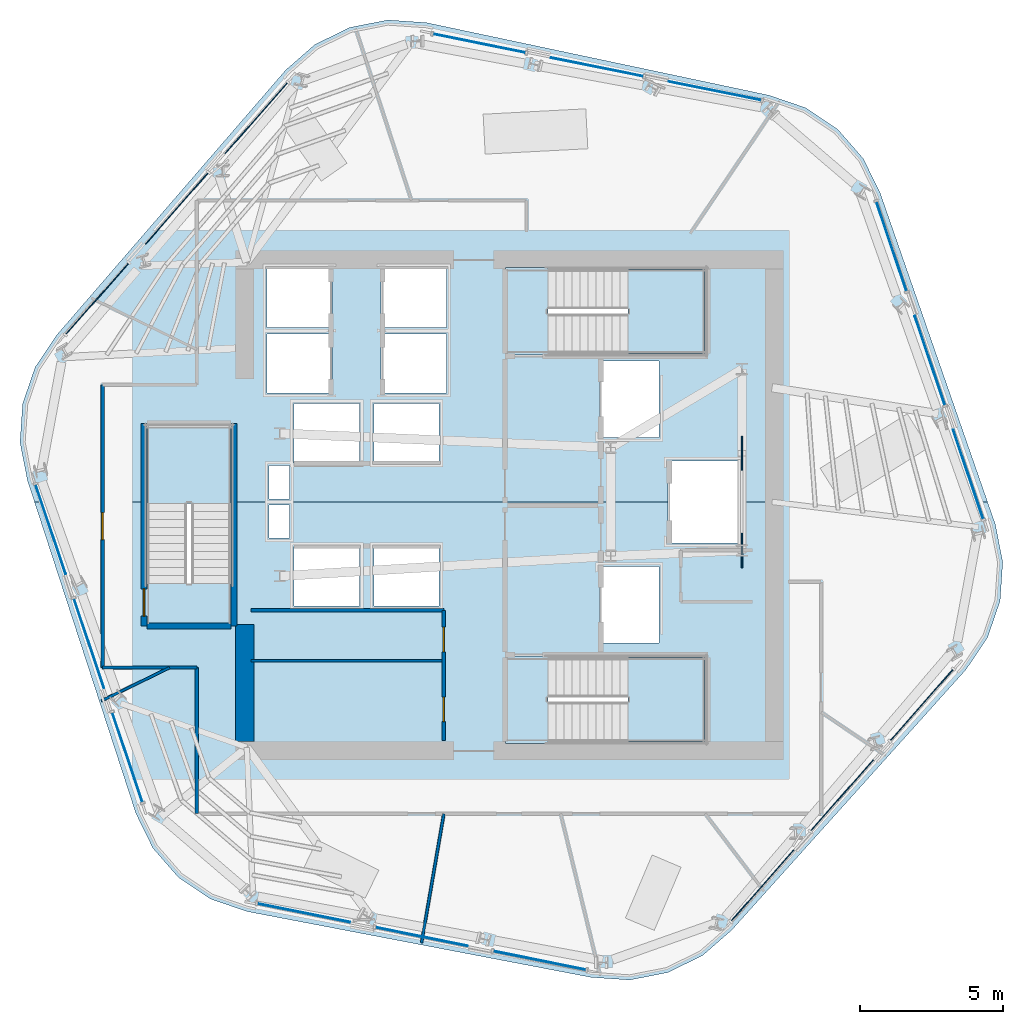
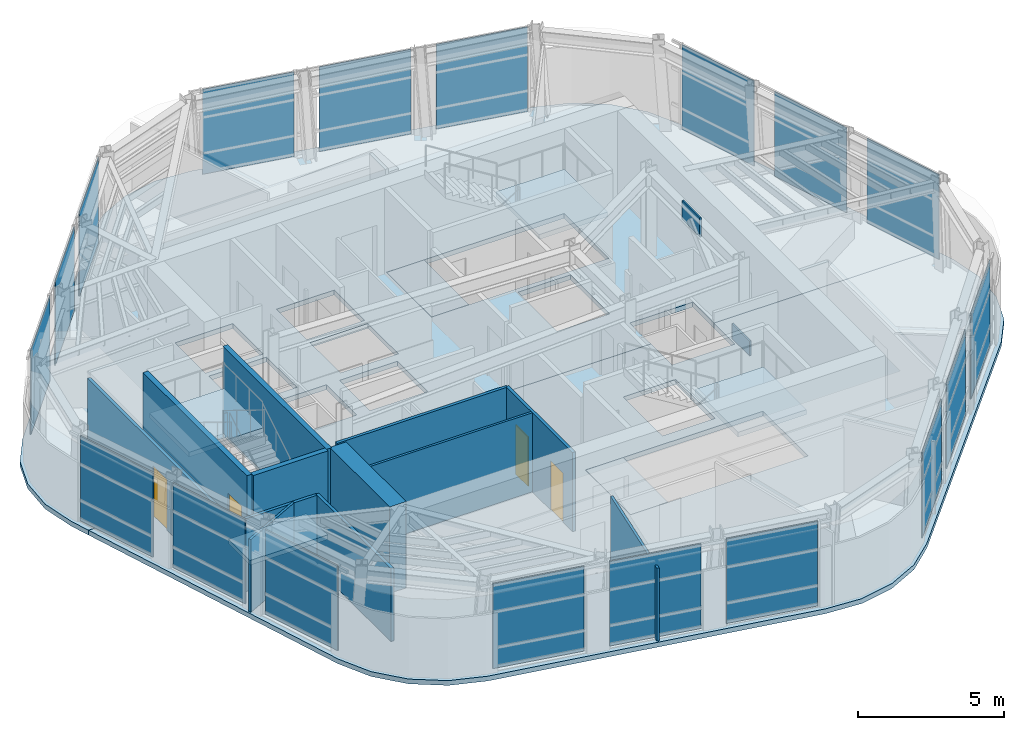
# One storey, part 5 of 12: 20 plates, 12 walls, 8 slabs, 4 doors, 4 openings, 9 elements without a shape of their own.
"""IFC4 building model written with IfcOpenShell, lengths in metres."""

from ifc_helpers import new_model, si_unit, direction, frame, frame_2d, origin, origin_2d, place, context, subcontext, project, spatial, polyline, rectangle, outline, extrude, material, layer, layer_set, type_object, element, fill, aggregate, save


model = new_model("IFC4")

# Units and contexts
model_context = context("Model", 3, precision=1e-05, world=origin(), true_north=direction((0.0, 1.0)))
body_context = subcontext(model_context, "Body", "Model", "MODEL_VIEW")
ifc_project = project(units=[si_unit("LENGTHUNIT", "METRE"), si_unit("AREAUNIT", "SQUARE_METRE"), si_unit("VOLUMEUNIT", "CUBIC_METRE"), si_unit("PLANEANGLEUNIT", "RADIAN"), si_unit("MASSUNIT", "GRAM", prefix="KILO")], contexts=[model_context])

# Site, building, storey
site_placement = place(None, origin())
site = spatial("IfcSite", under=ifc_project, at=site_placement, CompositionType="ELEMENT")
building_placement = place(site_placement, origin())
building = spatial("IfcBuilding", under=site, at=building_placement, Name="Valkerne Bourse Tower", CompositionType="ELEMENT")
storey_placement = place(building_placement, frame((0.0, 0.0, 232.199951171875)))
storey = spatial("IfcBuildingStorey", under=building, at=storey_placement, Name="L59", CompositionType="ELEMENT", Elevation=232.199951171875)

# Curtain wall, plates
ifc_material_1 = material(Name="Aluminium AA 6063-T6", Category="aluminium")
ifc_layer_1 = layer(ifc_material_1, 0.239990234375)
ifc_layer_set_1 = layer_set([ifc_layer_1], Name="Aluminium AA 6063-T6")
curtain_wall_type = type_object("IfcCurtainWallType", Name="CW-04", PredefinedType="NOTDEFINED", material=ifc_layer_set_1)
curtain_wall_1_placement = place(storey_placement, origin())
curtain_wall_1 = element("IfcCurtainWall", 1, at=curtain_wall_1_placement, inside=storey, type_object=curtain_wall_type, Name="L59 Hexagonal Stick Curtain Wall Face 1", PredefinedType="NOTDEFINED")
ifc_material_2 = material(Name="Glass IGU Low-E Double Glazed", Category="glass")
ifc_layer_2 = layer(ifc_material_2, 0.031982421875)
ifc_layer_set_2 = layer_set([ifc_layer_2], Name="Glass IGU Low-E Double Glazed")
plate_type_1 = type_object("IfcPlateType", Name="CW-PNL-IGU-32", PredefinedType="CURTAIN_PANEL", material=ifc_layer_set_2)
plate_1_placement = place(storey_placement, frame((54.000244140625, 41.399658203125, 0.030029296875), z_axis=(0.0, 0.0, 1.0), x_axis=(-0.980272659365, 0.197649976729, 0.0)))
plate_1 = element("IfcPlate", 2, at=plate_1_placement, type_object=plate_type_1, Name="CW-L59-F1 Curtain Panel 00", PredefinedType="CURTAIN_PANEL", context=body_context, shape_type="SweptSolid", body=[
    extrude(rectangle(XDim=3.2919921875, YDim=0.031982421875, at=origin_2d()), origin(), (0.0, 0.0, 1.0), 3.5400390625),
])
plate_2_placement = place(storey_placement, frame((49.871337890625, 42.232177734375, 0.030029296875), z_axis=(0.0, 0.0, 1.0), x_axis=(-0.980268059139, 0.197672790823, 0.0)))
plate_2 = element("IfcPlate", 3, at=plate_2_placement, type_object=plate_type_1, Name="CW-L59-F1 Curtain Panel 01", PredefinedType="CURTAIN_PANEL", context=body_context, shape_type="SweptSolid", body=[
    extrude(rectangle(XDim=3.2919921875, YDim=0.031982421875, at=origin_2d()), origin(), (0.0, 0.0, 1.0), 3.5400390625),
])
plate_3_placement = place(storey_placement, frame((45.742431640625, 43.064697265625, 0.030029296875), z_axis=(0.0, 0.0, 1.0), x_axis=(-0.980272659365, 0.197649976729, 0.0)))
plate_3 = element("IfcPlate", 4, at=plate_3_placement, type_object=plate_type_1, Name="CW-L59-F1 Curtain Panel 02", PredefinedType="CURTAIN_PANEL", context=body_context, shape_type="SweptSolid", body=[
    extrude(rectangle(XDim=3.2919921875, YDim=0.031982421875, at=origin_2d()), origin(), (0.0, 0.0, 1.0), 3.5400390625),
])
aggregate(curtain_wall_1, [plate_1, plate_2, plate_3])

curtain_wall_2_placement = place(storey_placement, origin())
curtain_wall_2 = element("IfcCurtainWall", 5, at=curtain_wall_2_placement, inside=storey, type_object=curtain_wall_type, Name="L59 Hexagonal Stick Curtain Wall Face 2", PredefinedType="NOTDEFINED")
plate_4_placement = place(storey_placement, frame((37.9296875, 40.435302734375, 0.030029296875), z_axis=(0.0, 0.0, 1.0), x_axis=(-0.661301987513, -0.750119777976, 0.0)))
plate_4 = element("IfcPlate", 6, at=plate_4_placement, type_object=plate_type_1, Name="CW-L59-F2 Curtain Panel 00", PredefinedType="CURTAIN_PANEL", context=body_context, shape_type="SweptSolid", body=[
    extrude(rectangle(XDim=3.2919921875, YDim=0.031982421875, at=origin_2d()), origin(), (0.0, 0.0, 1.0), 3.5400390625),
])
plate_5_placement = place(storey_placement, frame((35.144287109375, 37.27587890625, 0.030029296875), z_axis=(0.0, 0.0, 1.0), x_axis=(-0.6613271234, -0.750097617551, 0.0)))
plate_5 = element("IfcPlate", 7, at=plate_5_placement, type_object=plate_type_1, Name="CW-L59-F2 Curtain Panel 01", PredefinedType="CURTAIN_PANEL", context=body_context, shape_type="SweptSolid", body=[
    extrude(rectangle(XDim=3.2919921875, YDim=0.031982421875, at=origin_2d()), origin(), (0.0, 0.0, 1.0), 3.5400390625),
])
plate_6_placement = place(storey_placement, frame((32.35888671875, 34.116455078125, 0.030029296875), z_axis=(0.0, 0.0, 1.0), x_axis=(-0.661301987513, -0.750119777976, 0.0)))
plate_6 = element("IfcPlate", 8, at=plate_6_placement, type_object=plate_type_1, Name="CW-L59-F2 Curtain Panel 02", PredefinedType="CURTAIN_PANEL", context=body_context, shape_type="SweptSolid", body=[
    extrude(rectangle(XDim=3.2919921875, YDim=0.031982421875, at=origin_2d()), origin(), (0.0, 0.0, 1.0), 3.5400390625),
])
aggregate(curtain_wall_2, [plate_4, plate_5, plate_6])

curtain_wall_3_placement = place(storey_placement, origin())
curtain_wall_3 = element("IfcCurtainWall", 9, at=curtain_wall_3_placement, inside=storey, type_object=curtain_wall_type, Name="L59 Hexagonal Stick Curtain Wall Face 3", PredefinedType="NOTDEFINED")
plate_7_placement = place(storey_placement, frame((30.7294921875, 26.035888671875, 0.030029296875), z_axis=(0.0, 0.0, 1.0), x_axis=(0.318968601555, -0.947765282769, 0.0)))
plate_7 = element("IfcPlate", 10, at=plate_7_placement, type_object=plate_type_1, Name="CW-L59-F3 Curtain Panel 00", PredefinedType="CURTAIN_PANEL", context=body_context, shape_type="SweptSolid", body=[
    extrude(rectangle(XDim=3.2919921875, YDim=0.031982421875, at=origin_2d()), origin(), (0.0, 0.0, 1.0), 3.5400390625),
])
plate_8_placement = place(storey_placement, frame((32.072998046875, 22.043701171875, 0.030029296875), z_axis=(0.0, 0.0, 1.0), x_axis=(0.318947275184, -0.947772459851, 0.0)))
plate_8 = element("IfcPlate", 11, at=plate_8_placement, type_object=plate_type_1, Name="CW-L59-F3 Curtain Panel 01", PredefinedType="CURTAIN_PANEL", context=body_context, shape_type="SweptSolid", body=[
    extrude(rectangle(XDim=3.2919921875, YDim=0.031982421875, at=origin_2d()), origin(), (0.0, 0.0, 1.0), 3.5400390625),
])
plate_9_placement = place(storey_placement, frame((33.416259765625, 18.0517578125, 0.030029296875), z_axis=(0.0, 0.0, 1.0), x_axis=(0.318968601555, -0.947765282769, 0.0)))
plate_9 = element("IfcPlate", 12, at=plate_9_placement, type_object=plate_type_1, Name="CW-L59-F3 Curtain Panel 02", PredefinedType="CURTAIN_PANEL", context=body_context, shape_type="SweptSolid", body=[
    extrude(rectangle(XDim=3.2919921875, YDim=0.031982421875, at=origin_2d()), origin(), (0.0, 0.0, 1.0), 3.5400390625),
])
aggregate(curtain_wall_3, [plate_7, plate_8, plate_9])

curtain_wall_4_placement = place(storey_placement, origin())
curtain_wall_4 = element("IfcCurtainWall", 13, at=curtain_wall_4_placement, inside=storey, type_object=curtain_wall_type, Name="L59 Hexagonal Stick Curtain Wall Face 4", PredefinedType="NOTDEFINED")
plate_10_placement = place(storey_placement, frame((39.599853515625, 12.600341796875, 0.030029296875), z_axis=(0.0, 0.0, 1.0), x_axis=(0.980272659365, -0.197649976729, 0.0)))
plate_10 = element("IfcPlate", 14, at=plate_10_placement, type_object=plate_type_1, Name="CW-L59-F4 Curtain Panel 00", PredefinedType="CURTAIN_PANEL", context=body_context, shape_type="SweptSolid", body=[
    extrude(rectangle(XDim=3.2919921875, YDim=0.031982421875, at=origin_2d()), origin(), (0.0, 0.0, 1.0), 3.5400390625),
])
plate_11_placement = place(storey_placement, frame((43.728759765625, 11.767822265625, 0.030029296875), z_axis=(0.0, 0.0, 1.0), x_axis=(0.980268059139, -0.197672790823, 0.0)))
plate_11 = element("IfcPlate", 15, at=plate_11_placement, type_object=plate_type_1, Name="CW-L59-F4 Curtain Panel 01", PredefinedType="CURTAIN_PANEL", context=body_context, shape_type="SweptSolid", body=[
    extrude(rectangle(XDim=3.2919921875, YDim=0.031982421875, at=origin_2d()), origin(), (0.0, 0.0, 1.0), 3.5400390625),
])
plate_12_placement = place(storey_placement, frame((47.857666015625, 10.935302734375, 0.030029296875), z_axis=(0.0, 0.0, 1.0), x_axis=(0.980272659365, -0.197649976729, 0.0)))
plate_12 = element("IfcPlate", 16, at=plate_12_placement, type_object=plate_type_1, Name="CW-L59-F4 Curtain Panel 02", PredefinedType="CURTAIN_PANEL", context=body_context, shape_type="SweptSolid", body=[
    extrude(rectangle(XDim=3.2919921875, YDim=0.031982421875, at=origin_2d()), origin(), (0.0, 0.0, 1.0), 3.5400390625),
])
aggregate(curtain_wall_4, [plate_10, plate_11, plate_12])

curtain_wall_5_placement = place(storey_placement, origin())
curtain_wall_5 = element("IfcCurtainWall", 17, at=curtain_wall_5_placement, inside=storey, type_object=curtain_wall_type, Name="L59 Hexagonal Stick Curtain Wall Face 5", PredefinedType="NOTDEFINED")
plate_13_placement = place(storey_placement, frame((55.67041015625, 13.564697265625, 0.030029296875), z_axis=(0.0, 0.0, 1.0), x_axis=(0.661301987513, 0.750119777976, 0.0)))
plate_13 = element("IfcPlate", 18, at=plate_13_placement, type_object=plate_type_1, Name="CW-L59-F5 Curtain Panel 00", PredefinedType="CURTAIN_PANEL", context=body_context, shape_type="SweptSolid", body=[
    extrude(rectangle(XDim=3.2919921875, YDim=0.031982421875, at=origin_2d()), origin(), (0.0, 0.0, 1.0), 3.5400390625),
])
plate_14_placement = place(storey_placement, frame((58.455810546875, 16.72412109375, 0.030029296875), z_axis=(0.0, 0.0, 1.0), x_axis=(0.6613271234, 0.750097617551, 0.0)))
plate_14 = element("IfcPlate", 19, at=plate_14_placement, type_object=plate_type_1, Name="CW-L59-F5 Curtain Panel 01", PredefinedType="CURTAIN_PANEL", context=body_context, shape_type="SweptSolid", body=[
    extrude(rectangle(XDim=3.2919921875, YDim=0.031982421875, at=origin_2d()), origin(), (0.0, 0.0, 1.0), 3.5400390625),
])
plate_15_placement = place(storey_placement, frame((61.2412109375, 19.883544921875, 0.030029296875), z_axis=(0.0, 0.0, 1.0), x_axis=(0.661301987513, 0.750119777976, 0.0)))
plate_15 = element("IfcPlate", 20, at=plate_15_placement, type_object=plate_type_1, Name="CW-L59-F5 Curtain Panel 02", PredefinedType="CURTAIN_PANEL", context=body_context, shape_type="SweptSolid", body=[
    extrude(rectangle(XDim=3.2919921875, YDim=0.031982421875, at=origin_2d()), origin(), (0.0, 0.0, 1.0), 3.5400390625),
])
aggregate(curtain_wall_5, [plate_13, plate_14, plate_15])

curtain_wall_6_placement = place(storey_placement, origin())
curtain_wall_6 = element("IfcCurtainWall", 21, at=curtain_wall_6_placement, inside=storey, type_object=curtain_wall_type, Name="L59 Hexagonal Stick Curtain Wall Face 6", PredefinedType="NOTDEFINED")
plate_16_placement = place(storey_placement, frame((62.87060546875, 27.964111328125, 0.030029296875), z_axis=(0.0, 0.0, 1.0), x_axis=(-0.318968601555, 0.947765282769, 0.0)))
plate_16 = element("IfcPlate", 22, at=plate_16_placement, type_object=plate_type_1, Name="CW-L59-F6 Curtain Panel 00", PredefinedType="CURTAIN_PANEL", context=body_context, shape_type="SweptSolid", body=[
    extrude(rectangle(XDim=3.2919921875, YDim=0.031982421875, at=origin_2d()), origin(), (0.0, 0.0, 1.0), 3.5400390625),
])
plate_17_placement = place(storey_placement, frame((61.527099609375, 31.956298828125, 0.030029296875), z_axis=(0.0, 0.0, 1.0), x_axis=(-0.318947275184, 0.947772459851, 0.0)))
plate_17 = element("IfcPlate", 23, at=plate_17_placement, type_object=plate_type_1, Name="CW-L59-F6 Curtain Panel 01", PredefinedType="CURTAIN_PANEL", context=body_context, shape_type="SweptSolid", body=[
    extrude(rectangle(XDim=3.2919921875, YDim=0.031982421875, at=origin_2d()), origin(), (0.0, 0.0, 1.0), 3.5400390625),
])
plate_18_placement = place(storey_placement, frame((60.18359375, 35.9482421875, 0.030029296875), z_axis=(0.0, 0.0, 1.0), x_axis=(-0.318968601555, 0.947765282769, 0.0)))
plate_18 = element("IfcPlate", 24, at=plate_18_placement, type_object=plate_type_1, Name="CW-L59-F6 Curtain Panel 02", PredefinedType="CURTAIN_PANEL", context=body_context, shape_type="SweptSolid", body=[
    extrude(rectangle(XDim=3.2919921875, YDim=0.031982421875, at=origin_2d()), origin(), (0.0, 0.0, 1.0), 3.5400390625),
])
aggregate(curtain_wall_6, [plate_16, plate_17, plate_18])

# Plates
ifc_material_3 = material(Name="Steel ASTM A572 Grade 50", Category="steel")
ifc_layer_3 = layer(ifc_material_3, 0.06005859375)
ifc_layer_set_3 = layer_set([ifc_layer_3], Name="Steel ASTM A572 Grade 50")
plate_type_2 = type_object("IfcPlateType", Name="PLT-GUS-60", PredefinedType="SHEET", material=ifc_layer_set_3)
for number, where, z_axis, x_axis, name in (
    (25, (54.949951171875, 25.300048828125, -0.18017578125), (0.0, 0.0, 1.0), (0.0, 1.0, 0.0), "L59 Brace Node Gusset Plate PLT-GUS-END-L59-434"),
    (26, (54.949951171875, 28.699951171875, 2.89404296875), (0.0, 0.0, 1.0), (0.0, 1.0, 0.0), "L59 Brace Node Gusset Plate PLT-GUS-END-L59-435"),
):
    element("IfcPlate", number, at=place(storey_placement, frame(where, z_axis=z_axis, x_axis=x_axis)), inside=storey, type_object=plate_type_2, Name=name, PredefinedType="SHEET", context=body_context, shape_type="SweptSolid", body=[
        extrude(rectangle(XDim=1.199951171875, YDim=0.06005859375, at=origin_2d()), origin(), (0.0, 0.0, 1.0), 0.800048828125),
    ])

# Slabs
ifc_material_4 = material(Name="Concrete C40/50", Category="concrete")
ifc_layer_4 = layer(ifc_material_4, 0.25)
ifc_layer_set_4 = layer_set([ifc_layer_4], Name="Concrete C40/50")
slab_type_1 = type_object("IfcSlabType", Name="SLB-RMP-LND-250", PredefinedType="LANDING", material=ifc_layer_set_4)
slab_1_placement = place(storey_placement, frame((0.0, 0.0, -0.199951171875)))
element("IfcSlab", 27, at=slab_1_placement, inside=storey, type_object=slab_type_1, Name="L59 ST-1 Floor Landing Slab", PredefinedType="LANDING", context=body_context, shape_type="SweptSolid", body=[
    extrude(outline(polyline([(46.669921875, 18.5400390625), (48.14990234375, 18.5400390625), (48.14990234375, 21.610107421875), (46.669921875, 21.610107421875), (46.669921875, 18.5400390625)])), origin(), (0.0, 0.0, 1.0), 0.199951171875),
])
slab_2_placement = place(storey_placement, frame((0.0, 0.0, -0.199951171875)))
element("IfcSlab", 28, at=slab_2_placement, inside=storey, type_object=slab_type_1, Name="L59 ST-2 Floor Landing Slab", PredefinedType="LANDING", context=body_context, shape_type="SweptSolid", body=[
    extrude(outline(polyline([(46.669921875, 32.139892578125), (48.14990234375, 32.139892578125), (48.14990234375, 35.2099609375), (46.669921875, 35.2099609375), (46.669921875, 32.139892578125)])), origin(), (0.0, 0.0, 1.0), 0.199951171875),
])
slab_3_placement = place(storey_placement, frame((0.0, 0.0, -0.199951171875)))
element("IfcSlab", 29, at=slab_3_placement, inside=storey, type_object=slab_type_1, Name="L59 ST-3 Floor Landing Slab", PredefinedType="LANDING", context=body_context, shape_type="SweptSolid", body=[
    extrude(outline(polyline([(37.110107421875, 22.669921875), (37.110107421875, 24.14990234375), (34.0400390625, 24.14990234375), (34.0400390625, 22.669921875), (37.110107421875, 22.669921875)])), origin(), (0.0, 0.0, 1.0), 0.199951171875),
])

# Stair, slab
stair_type = type_object("IfcStairType", Name="ST-CORE-1400", PredefinedType="HALF_TURN_STAIR", material=ifc_material_4)
stair_1_placement = place(storey_placement, origin())
stair_1 = element("IfcStair", 30, at=stair_1_placement, inside=storey, type_object=stair_type, Name="L59 ST-1", PredefinedType="HALF_TURN_STAIR")
ifc_layer_5 = layer(ifc_material_4, 0.179931640625)
ifc_layer_set_5 = layer_set([ifc_layer_5], Name="Concrete C40/50")
slab_type_2 = type_object("IfcSlabType", Name="SLB-ST-LND-180", PredefinedType="LANDING", material=ifc_layer_set_5)
slab_4_placement = place(storey_placement, frame((0.0, 0.0, 1.699951171875)))
slab_4 = element("IfcSlab", 31, at=slab_4_placement, type_object=slab_type_2, Name="ST-1 landing 1", PredefinedType="LANDING", context=body_context, shape_type="SweptSolid", body=[
    extrude(outline(polyline([(50.949951171875, 18.60009765625), (53.64990234375, 18.60009765625), (53.64990234375, 21.550048828125), (50.949951171875, 21.550048828125), (50.949951171875, 18.60009765625)])), origin(), (0.0, 0.0, 1.0), 0.2001953125),
])
aggregate(stair_1, [slab_4])

stair_2_placement = place(storey_placement, origin())
stair_2 = element("IfcStair", 32, at=stair_2_placement, inside=storey, type_object=stair_type, Name="L59 ST-2", PredefinedType="HALF_TURN_STAIR")
slab_5_placement = place(storey_placement, frame((0.0, 0.0, 1.699951171875)))
slab_5 = element("IfcSlab", 33, at=slab_5_placement, type_object=slab_type_2, Name="ST-2 landing 1", PredefinedType="LANDING", context=body_context, shape_type="SweptSolid", body=[
    extrude(outline(polyline([(50.949951171875, 32.199951171875), (53.64990234375, 32.199951171875), (53.64990234375, 35.14990234375), (50.949951171875, 35.14990234375), (50.949951171875, 32.199951171875)])), origin(), (0.0, 0.0, 1.0), 0.2001953125),
])
aggregate(stair_2, [slab_5])

stair_3_placement = place(storey_placement, origin())
stair_3 = element("IfcStair", 34, at=stair_3_placement, inside=storey, type_object=stair_type, Name="L59 ST-3", PredefinedType="HALF_TURN_STAIR")
slab_6_placement = place(storey_placement, frame((0.0, 0.0, 1.699951171875)))
slab_6 = element("IfcSlab", 35, at=slab_6_placement, type_object=slab_type_2, Name="ST-3 landing 1", PredefinedType="LANDING", context=body_context, shape_type="SweptSolid", body=[
    extrude(outline(polyline([(37.050048828125, 26.949951171875), (37.050048828125, 29.64990234375), (34.10009765625, 29.64990234375), (34.10009765625, 26.949951171875), (37.050048828125, 26.949951171875)])), origin(), (0.0, 0.0, 1.0), 0.2001953125),
])
aggregate(stair_3, [slab_6])

# Slabs
ifc_layer_6 = layer(ifc_material_4, 0.199951171875)
ifc_layer_set_6 = layer_set([ifc_layer_6], Name="Concrete C40/50")
slab_type_3 = type_object("IfcSlabType", Name="SLB-TOW-200", PredefinedType="FLOOR", material=ifc_layer_set_6)
slab_7_placement = place(storey_placement, frame((0.0, 0.0, -0.199951171875)))
element("IfcSlab", 36, at=slab_7_placement, inside=storey, type_object=slab_type_3, Name="L59 Hexagonal Composite Floor Slab S", PredefinedType="FLOOR", context=body_context, shape_type="SweptSolid", body=[
    extrude(outline(polyline([(64.081787109375, 24.88818359375), (63.989501953125, 23.533935546875), (63.5498046875, 22.249755859375), (62.792724609375, 21.123046875), (54.590576171875, 12.002685546875), (53.5673828125, 11.110107421875), (52.348388671875, 10.512939453125), (51.016357421875, 10.251708984375), (49.662109375, 10.343994140625), (37.614501953125, 12.649658203125), (36.330078125, 13.08935546875), (35.20361328125, 13.846435546875), (34.311279296875, 14.869384765625), (33.714111328125, 16.08837890625), (30.16162109375, 27.0), (34.034912109375, 27.0), (34.034912109375, 22.6650390625), (37.114990234375, 22.6650390625), (37.114990234375, 27.0), (52.360107421875, 27.0), (52.360107421875, 25.56005859375), (54.840087890625, 25.56005859375), (54.840087890625, 27.0), (63.549560546875, 27.0), (63.820556640625, 26.220458984375), (64.081787109375, 24.88818359375)]), holes=[polyline([(41.5400390625, 25.43994140625), (39.260009765625, 25.43994140625), (39.260009765625, 23.360107421875), (41.5400390625, 23.360107421875), (41.5400390625, 25.43994140625)]), polyline([(44.340087890625, 25.43994140625), (42.06005859375, 25.43994140625), (42.06005859375, 23.360107421875), (44.340087890625, 23.360107421875), (44.340087890625, 25.43994140625)]), polyline([(39.10009765625, 26.89990234375), (38.3798828125, 26.89990234375), (38.3798828125, 25.72998046875), (39.10009765625, 25.72998046875), (39.10009765625, 26.89990234375)]), polyline([(53.675048828125, 21.614990234375), (46.6650390625, 21.614990234375), (46.6650390625, 18.534912109375), (53.675048828125, 18.534912109375), (53.675048828125, 21.614990234375)]), polyline([(52.0400390625, 24.739990234375), (49.9599609375, 24.739990234375), (49.9599609375, 22.06005859375), (52.0400390625, 22.06005859375), (52.0400390625, 24.739990234375)])]), origin(), (0.0, 0.0, 1.0), 0.199951171875),
])
slab_8_placement = place(storey_placement, frame((0.0, 0.0, -0.199951171875)))
element("IfcSlab", 37, at=slab_8_placement, inside=storey, type_object=slab_type_3, Name="L59 Hexagonal Composite Floor Slab N", PredefinedType="FLOOR", context=body_context, shape_type="SweptSolid", body=[
    extrude(outline(polyline([(29.916748046875, 27.751953125), (29.6552734375, 29.083984375), (29.74755859375, 30.4384765625), (30.187255859375, 31.72265625), (30.944580078125, 32.849365234375), (38.96484375, 42.130126953125), (39.98779296875, 43.0224609375), (41.206787109375, 43.61962890625), (42.538818359375, 43.881103515625), (43.893310546875, 43.788818359375), (55.892822265625, 41.245361328125), (57.17724609375, 40.8056640625), (58.303955078125, 40.048583984375), (59.1962890625, 39.025634765625), (59.79345703125, 37.806640625), (63.549560546875, 27.0), (54.840087890625, 27.0), (54.840087890625, 28.43994140625), (52.360107421875, 28.43994140625), (52.360107421875, 27.0), (37.114990234375, 27.0), (37.114990234375, 29.675048828125), (34.034912109375, 29.675048828125), (34.034912109375, 27.0), (30.16162109375, 27.0), (29.916748046875, 27.751953125)]), holes=[polyline([(39.10009765625, 28.27001953125), (38.3798828125, 28.27001953125), (38.3798828125, 27.10009765625), (39.10009765625, 27.10009765625), (39.10009765625, 28.27001953125)]), polyline([(41.5400390625, 30.43994140625), (39.260009765625, 30.43994140625), (39.260009765625, 28.360107421875), (41.5400390625, 28.360107421875), (41.5400390625, 30.43994140625)]), polyline([(40.590087890625, 32.889892578125), (38.31005859375, 32.889892578125), (38.31005859375, 30.81005859375), (40.590087890625, 30.81005859375), (40.590087890625, 32.889892578125)]), polyline([(40.590087890625, 35.18994140625), (38.31005859375, 35.18994140625), (38.31005859375, 33.110107421875), (40.590087890625, 33.110107421875), (40.590087890625, 35.18994140625)]), polyline([(44.340087890625, 30.43994140625), (42.06005859375, 30.43994140625), (42.06005859375, 28.360107421875), (44.340087890625, 28.360107421875), (44.340087890625, 30.43994140625)]), polyline([(52.0400390625, 31.93994140625), (49.9599609375, 31.93994140625), (49.9599609375, 29.260009765625), (52.0400390625, 29.260009765625), (52.0400390625, 31.93994140625)]), polyline([(44.590087890625, 32.889892578125), (42.31005859375, 32.889892578125), (42.31005859375, 30.81005859375), (44.590087890625, 30.81005859375), (44.590087890625, 32.889892578125)]), polyline([(53.675048828125, 35.215087890625), (46.6650390625, 35.215087890625), (46.6650390625, 32.135009765625), (53.675048828125, 32.135009765625), (53.675048828125, 35.215087890625)]), polyline([(44.590087890625, 35.18994140625), (42.31005859375, 35.18994140625), (42.31005859375, 33.110107421875), (44.590087890625, 33.110107421875), (44.590087890625, 35.18994140625)])]), origin(), (0.0, 0.0, 1.0), 0.199951171875),
])

# Wall
ifc_material_5 = material(Name="Concrete C55/67", Category="concrete")
ifc_layer_7 = layer(ifc_material_5, 0.64990234375)
ifc_layer_set_7 = layer_set([ifc_layer_7], Name="Concrete C55/67")
wall_type_1 = type_object("IfcWallType", Name="W-CORE-650", PredefinedType="SHEAR", material=ifc_layer_set_7)
wall_1_placement = place(storey_placement, frame((37.52490234375, 18.60009765625, 0.0), z_axis=(0.0, 0.0, 1.0), x_axis=(0.0, 1.0, 0.0)))
element("IfcWall", 38, at=wall_1_placement, inside=storey, type_object=wall_type_1, Name="L59 Core Shear Wall WEST-S", PredefinedType="SHEAR", context=body_context, shape_type="SweptSolid", body=[
    extrude(rectangle(XDim=4.099853515625, YDim=0.64990234375, at=frame_2d((2.0498046875, 0.0))), origin(), (0.0, 0.0, 1.0), 3.60009765625),
])

# Wall, openings, doors
ifc_material_6 = material(Name="Gypsum Board Steel-Stud Partition", Category="steel")
ifc_layer_8 = layer(ifc_material_6, 0.117919921875)
ifc_layer_set_8 = layer_set([ifc_layer_8], Name="Gypsum Board Steel-Stud Partition")
wall_type_2 = type_object("IfcWallType", Name="W-CORR-140", PredefinedType="PARTITIONING", material=ifc_layer_set_8)
wall_2_placement = place(storey_placement, frame((44.5, 18.64990234375, 0.0), z_axis=(0.0, 0.0, 1.0), x_axis=(0.0, 1.0, 0.0)))
wall_2 = element("IfcWall", 39, at=wall_2_placement, inside=storey, type_object=wall_type_2, Name="L59 LV7 Low-Bank East Wall", PredefinedType="PARTITIONING", context=body_context, shape_type="SweptSolid", body=[
    extrude(rectangle(XDim=4.550048828125, YDim=0.117919921875, at=frame_2d((2.27490234375, 0.0))), origin(), (0.0, 0.0, 1.0), 3.300048828125),
])
opening_1_placement = place(wall_2_placement, frame((0.64990234375, 0.0, 0.0)))
opening_1 = element("IfcOpeningElement", 40, at=opening_1_placement, cuts=wall_2, Name="Opening D-WC-900", PredefinedType="OPENING", context=body_context, shape_type="SweptSolid", body=[
    extrude(rectangle(XDim=0.860107421875, YDim=2.050048828125, at=frame_2d((0.43017578125, 1.02490234375))), frame((0.0, 0.06884765625, 0.0), z_axis=(0.0, -1.0, 0.0), x_axis=(1.0, 0.0, 0.0)), (0.0, 0.0, 1.0), 0.137939453125),
])
opening_2_placement = place(wall_2_placement, frame((3.10009765625, 0.0, 0.0)))
opening_2 = element("IfcOpeningElement", 41, at=opening_2_placement, cuts=wall_2, Name="Opening D-WC-900", PredefinedType="OPENING", context=body_context, shape_type="SweptSolid", body=[
    extrude(rectangle(XDim=0.860107421875, YDim=2.050048828125, at=frame_2d((0.43017578125, 1.02490234375))), frame((0.0, 0.06884765625, 0.0), z_axis=(0.0, -1.0, 0.0), x_axis=(1.0, 0.0, 0.0)), (0.0, 0.0, 1.0), 0.137939453125),
])
ifc_material_7 = material(Name="Architectural White Oak Timber", Category="wood")
door_type_1 = type_object("IfcDoorType", Name="DR-WC-900", OperationType="NOTDEFINED", PredefinedType="DOOR", material=ifc_material_7)
door_1_placement = place(opening_1_placement, origin())
door_1 = element("IfcDoor", 42, at=door_1_placement, inside=storey, type_object=door_type_1, Name="L59 Reprographics Office Door", OperationType="SINGLE_SWING_LEFT", OverallHeight=2.050048828125, OverallWidth=0.860107421875, PredefinedType="DOOR", context=body_context, shape_type="SweptSolid", body=[
    extrude(rectangle(XDim=0.860107421875, YDim=2.050048828125, at=frame_2d((0.43017578125, 1.02490234375))), frame((0.0, 0.02490234375, 0.0), z_axis=(0.0, -1.0, 0.0), x_axis=(1.0, 0.0, 0.0)), (0.0, 0.0, 1.0), 0.050048828125),
])
fill(opening_1, door_1)
door_2_placement = place(opening_2_placement, origin())
door_2 = element("IfcDoor", 43, at=door_2_placement, inside=storey, type_object=door_type_1, Name="L59 First Aid Clinic Door", OperationType="SINGLE_SWING_LEFT", OverallHeight=2.050048828125, OverallWidth=0.860107421875, PredefinedType="DOOR", context=body_context, shape_type="SweptSolid", body=[
    extrude(rectangle(XDim=0.860107421875, YDim=2.050048828125, at=frame_2d((0.43017578125, 1.02490234375))), frame((0.0, 0.02490234375, 0.0), z_axis=(0.0, -1.0, 0.0), x_axis=(1.0, 0.0, 0.0)), (0.0, 0.0, 1.0), 0.050048828125),
])
fill(opening_2, door_2)

# Walls
wall_3_placement = place(storey_placement, frame((37.75, 23.199951171875, 0.0), z_axis=(0.0, 0.0, 1.0), x_axis=(1.0, 0.0, 0.0)))
element("IfcWall", 44, at=wall_3_placement, inside=storey, type_object=wall_type_2, Name="L59 LV7 Low-Bank North Wall", PredefinedType="PARTITIONING", context=body_context, shape_type="SweptSolid", body=[
    extrude(rectangle(XDim=6.75, YDim=0.117919921875, at=frame_2d((3.375, 0.0))), origin(), (0.0, 0.0, 1.0), 3.300048828125),
])
wall_4_placement = place(storey_placement, frame((35.85009765625, 16.080078125, 0.0), z_axis=(0.0, 0.0, 1.0), x_axis=(0.0, 1.0, 0.0)))
element("IfcWall", 45, at=wall_4_placement, inside=storey, type_object=wall_type_2, Name="L59 Corridor Enclosure Wall", PredefinedType="PARTITIONING", context=body_context, shape_type="SweptSolid", body=[
    extrude(rectangle(XDim=5.119873046875, YDim=0.117919921875, at=frame_2d((2.56005859375, 0.0))), origin(), (0.0, 0.0, 1.0), 3.056640625),
])
wall_5_placement = place(storey_placement, frame((35.85009765625, 21.199951171875, 0.0), z_axis=(0.0, 0.0, 1.0), x_axis=(-1.0, 0.0, 0.0)))
element("IfcWall", 46, at=wall_5_placement, inside=storey, type_object=wall_type_2, Name="L59 Corridor Enclosure Wall", PredefinedType="PARTITIONING", context=body_context, shape_type="SweptSolid", body=[
    extrude(rectangle(XDim=3.300048828125, YDim=0.117919921875, at=frame_2d((1.64990234375, 0.0))), origin(), (0.0, 0.0, 1.0), 3.036376953125),
])

# Wall, opening, door
wall_6_placement = place(storey_placement, frame((32.550048828125, 21.199951171875, 0.0), z_axis=(0.0, 0.0, 1.0), x_axis=(0.0, 1.0, 0.0)))
wall_6 = element("IfcWall", 47, at=wall_6_placement, inside=storey, type_object=wall_type_2, Name="L59 Corridor Enclosure Wall", PredefinedType="PARTITIONING", context=body_context, shape_type="SweptSolid", body=[
    extrude(rectangle(XDim=9.900146484375, YDim=0.117919921875, at=frame_2d((4.9501953125, 0.0))), origin(), (0.0, 0.0, 1.0), 3.036376953125),
])
opening_3_placement = place(wall_6_placement, frame((4.47509765625, 0.0, 0.0)))
opening_3 = element("IfcOpeningElement", 48, at=opening_3_placement, cuts=wall_6, Name="Opening D-OF-950", PredefinedType="OPENING", context=body_context, shape_type="SweptSolid", body=[
    extrude(rectangle(XDim=0.949951171875, YDim=2.10009765625, at=frame_2d((0.47509765625, 1.050048828125))), frame((0.0, 0.06884765625, 0.0), z_axis=(0.0, -1.0, 0.0), x_axis=(1.0, 0.0, 0.0)), (0.0, 0.0, 1.0), 0.137939453125),
])
door_type_2 = type_object("IfcDoorType", Name="DR-OFF-950", OperationType="NOTDEFINED", PredefinedType="DOOR", material=ifc_material_7)
door_3_placement = place(opening_3_placement, origin())
door_3 = element("IfcDoor", 49, at=door_3_placement, inside=storey, type_object=door_type_2, Name="L59 L59 Commodities Market Showroom 4 Door", OperationType="SINGLE_SWING_RIGHT", OverallHeight=2.10009765625, OverallWidth=0.949951171875, PredefinedType="DOOR", context=body_context, shape_type="SweptSolid", body=[
    extrude(rectangle(XDim=0.949951171875, YDim=2.10009765625, at=frame_2d((0.47509765625, 1.050048828125))), frame((0.0, 0.02490234375, 0.0), z_axis=(0.0, -1.0, 0.0), x_axis=(1.0, 0.0, 0.0)), (0.0, 0.0, 1.0), 0.050048828125),
])
fill(opening_3, door_3)

# Walls
ifc_layer_9 = layer(ifc_material_6, 0.092041015625)
ifc_layer_set_9 = layer_set([ifc_layer_9], Name="Gypsum Board Steel-Stud Partition")
wall_type_3 = type_object("IfcWallType", Name="W-PART-115", PredefinedType="PARTITIONING", material=ifc_layer_set_9)
wall_7_placement = place(storey_placement, frame((37.75, 21.43994140625, 0.0), z_axis=(0.0, 0.0, 1.0), x_axis=(1.0, 0.0, 0.0)))
element("IfcWall", 50, at=wall_7_placement, inside=storey, type_object=wall_type_3, Name="L59 LV7 Low-Bank Sub-Divider", PredefinedType="PARTITIONING", context=body_context, shape_type="SweptSolid", body=[
    extrude(rectangle(XDim=6.75, YDim=0.092041015625, at=frame_2d((3.375, 0.0))), origin(), (0.0, 0.0, 1.0), 3.300048828125),
])
wall_8_placement = place(storey_placement, frame((44.5029296875, 16.074951171875, 0.0), z_axis=(0.0, 0.0, 1.0), x_axis=(-0.170209713729, -0.985407861422, 0.0)))
element("IfcWall", 51, at=wall_8_placement, inside=storey, type_object=wall_type_3, Name="L59 Suite Partition P01", PredefinedType="PARTITIONING", context=body_context, shape_type="SweptSolid", body=[
    extrude(rectangle(XDim=4.58984375, YDim=0.092041015625, at=frame_2d((2.294921875, 0.0))), origin(), (0.0, 0.0, 1.0), 3.036376953125),
])
wall_9_placement = place(storey_placement, frame((34.89794921875, 21.195068359375, 0.0), z_axis=(0.0, 0.0, 1.0), x_axis=(-0.898785188738, -0.438389307015, 0.0)))
element("IfcWall", 52, at=wall_9_placement, inside=storey, type_object=wall_type_3, Name="L59 Suite Partition P08", PredefinedType="PARTITIONING", context=body_context, shape_type="SweptSolid", body=[
    extrude(rectangle(XDim=2.66259765625, YDim=0.092041015625, at=frame_2d((1.331298828125, 0.0))), origin(), (0.0, 0.0, 1.0), 3.036376953125),
])

# Wall, opening, door
ifc_layer_10 = layer(ifc_material_4, 0.199951171875)
ifc_layer_set_10 = layer_set([ifc_layer_10], Name="Concrete C40/50")
wall_type_4 = type_object("IfcWallType", Name="W-SHF-200", PredefinedType="SHEAR", material=ifc_layer_set_10)
wall_10_placement = place(storey_placement, frame((34.0, 22.64990234375, 0.0), z_axis=(0.0, 0.0, 1.0), x_axis=(0.0, 1.0, 0.0)))
wall_10 = element("IfcWall", 53, at=wall_10_placement, inside=storey, type_object=wall_type_4, Name="L59 Exit Stair ST-3 Structural Shaft Wall West", PredefinedType="SHEAR", context=body_context, shape_type="SweptSolid", body=[
    extrude(rectangle(XDim=7.10009765625, YDim=0.199951171875, at=frame_2d((3.550048828125, 0.0))), origin(), (0.0, 0.0, 1.0), 3.60009765625),
])
opening_4_placement = place(wall_10_placement, frame((0.35009765625, 0.0, 0.0)))
opening_4 = element("IfcOpeningElement", 54, at=opening_4_placement, cuts=wall_10, Name="Opening D-ST-950", PredefinedType="OPENING", context=body_context, shape_type="SweptSolid", body=[
    extrude(rectangle(XDim=0.949951171875, YDim=2.10009765625, at=frame_2d((0.47509765625, 1.050048828125))), frame((0.0, 0.10986328125, 0.0), z_axis=(0.0, -1.0, 0.0), x_axis=(1.0, 0.0, 0.0)), (0.0, 0.0, 1.0), 0.219970703125),
])
ifc_material_8 = material(Name="Galvanised Painted Steel", Category="steel")
door_type_3 = type_object("IfcDoorType", Name="DR-STAIR-950", OperationType="NOTDEFINED", PredefinedType="DOOR", material=ifc_material_8)
door_4_placement = place(opening_4_placement, origin())
door_4 = element("IfcDoor", 55, at=door_4_placement, inside=storey, type_object=door_type_3, Name="L59 Exit Stair ST-3 Door", OperationType="SINGLE_SWING_RIGHT", OverallHeight=2.10009765625, OverallWidth=0.949951171875, PredefinedType="DOOR", context=body_context, shape_type="SweptSolid", body=[
    extrude(rectangle(XDim=0.949951171875, YDim=2.10009765625, at=frame_2d((0.47509765625, 1.050048828125))), frame((0.0, 0.02490234375, 0.0), z_axis=(0.0, -1.0, 0.0), x_axis=(1.0, 0.0, 0.0)), (0.0, 0.0, 1.0), 0.050048828125),
])
fill(opening_4, door_4)

# Walls
wall_11_placement = place(storey_placement, frame((34.10009765625, 22.64990234375, 0.0), z_axis=(0.0, 0.0, 1.0), x_axis=(1.0, 0.0, 0.0)))
element("IfcWall", 56, at=wall_11_placement, inside=storey, type_object=wall_type_4, Name="L59 Exit Stair ST-3 Structural Shaft Wall South", PredefinedType="SHEAR", context=body_context, shape_type="SweptSolid", body=[
    extrude(rectangle(XDim=2.949951171875, YDim=0.199951171875, at=frame_2d((1.47509765625, 0.0))), origin(), (0.0, 0.0, 1.0), 3.60009765625),
])
wall_12_placement = place(storey_placement, frame((37.14990234375, 22.64990234375, 0.0), z_axis=(0.0, 0.0, 1.0), x_axis=(0.0, 1.0, 0.0)))
element("IfcWall", 57, at=wall_12_placement, inside=storey, type_object=wall_type_4, Name="L59 Exit Stair ST-3 Structural Shaft Wall East", PredefinedType="SHEAR", context=body_context, shape_type="SweptSolid", body=[
    extrude(rectangle(XDim=7.10009765625, YDim=0.199951171875, at=frame_2d((3.550048828125, 0.0))), origin(), (0.0, 0.0, 1.0), 3.60009765625),
])

save(model, "model.ifc")
